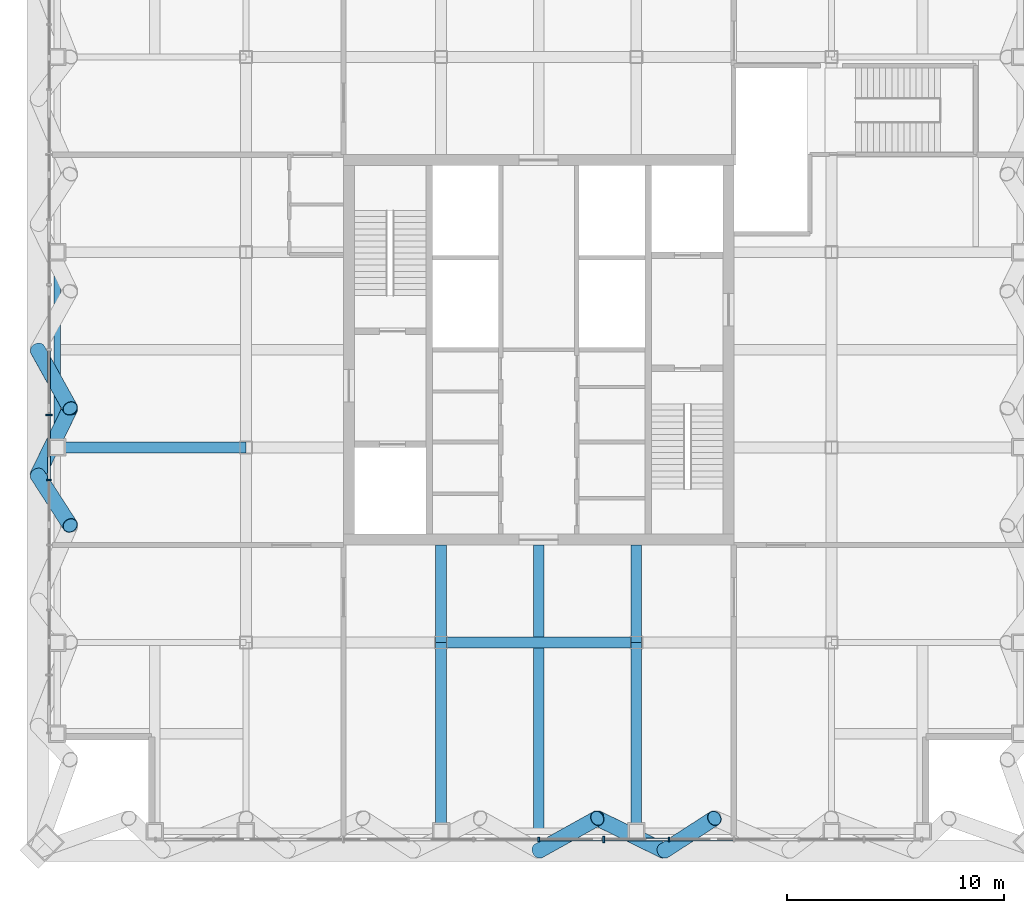
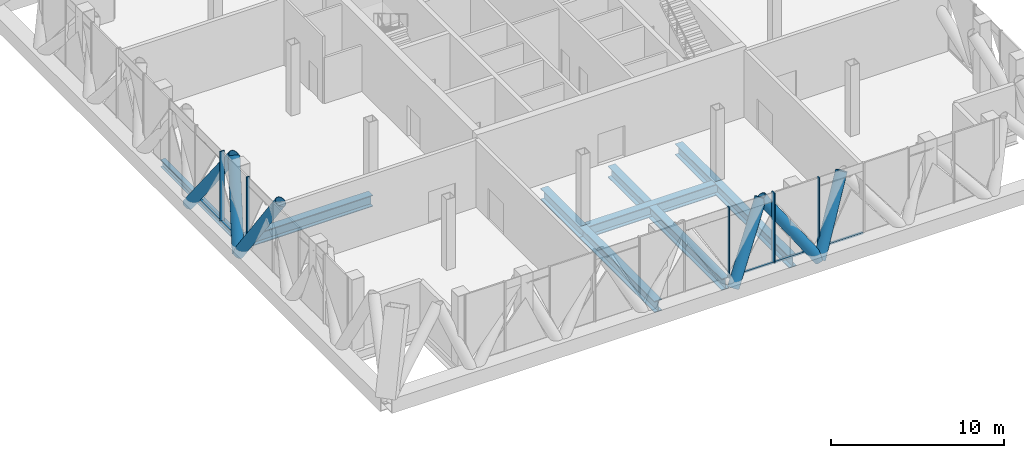
# One storey, part 4 of 27: 16 members, 8 beams, 2 elements without a shape of their own.
"""IFC4 building model written with IfcOpenShell, lengths in metres."""

from ifc_helpers import new_model, si_unit, direction, frame, origin, origin_2d, place, context, subcontext, project, spatial, rectangle, hollow_circle, i_section, extrude, material, layer, layer_set, material_profile, profile_set, type_object, element, aggregate, save


model = new_model("IFC4")

# Units and contexts
model_context = context("Model", 3, precision=1e-05, world=origin(), true_north=direction((0.0, 1.0)))
body_context = subcontext(model_context, "Body", "Model", "MODEL_VIEW")
ifc_project = project(units=[si_unit("LENGTHUNIT", "METRE"), si_unit("AREAUNIT", "SQUARE_METRE"), si_unit("VOLUMEUNIT", "CUBIC_METRE"), si_unit("PLANEANGLEUNIT", "RADIAN"), si_unit("MASSUNIT", "GRAM", prefix="KILO")], contexts=[model_context])

# Site, building, storey
site_placement = place(None, origin())
site = spatial("IfcSite", under=ifc_project, at=site_placement, CompositionType="ELEMENT")
building_placement = place(site_placement, origin())
building = spatial("IfcBuilding", under=site, at=building_placement, Name="Malebo Sky Hospital", CompositionType="ELEMENT")
storey_placement = place(building_placement, frame((0.0, 0.0, 245.0)))
storey = spatial("IfcBuildingStorey", under=building, at=storey_placement, Name="L59", CompositionType="ELEMENT", Elevation=245.0)

# Curtain wall, members
ifc_material_1 = material(Name="Anodised aluminium, natural silver", Category="aluminium")
ifc_layer = layer(ifc_material_1, 0.25)
ifc_layer_set = layer_set([ifc_layer], Name="PLANT LOUVRE SCREEN")
curtain_wall_type = type_object("IfcCurtainWallType", Name="PLANT LOUVRE SCREEN", PredefinedType="NOTDEFINED", material=ifc_layer_set)
curtain_wall_1_placement = place(storey_placement, origin())
curtain_wall_1 = element("IfcCurtainWall", 1, at=curtain_wall_1_placement, inside=storey, type_object=curtain_wall_type, Name="PLANT curtain wall W", PredefinedType="NOTDEFINED")
ifc_material_profile_1 = material_profile(ifc_material_1, rectangle(XDim=0.14990234375, YDim=0.10009765625, at=origin_2d()), Name="ALUMINIUM TRANSOM 150x100")
ifc_profile_set_1 = profile_set([ifc_material_profile_1], Name="Anodised aluminium, natural silver")
member_type_1 = type_object("IfcMemberType", Name="ALUMINIUM TRANSOM 150x100", PredefinedType="USERDEFINED", material=ifc_profile_set_1)
member_1_placement = place(storey_placement, frame((37.425048828125, 56.03759765625, 0.050048828125), z_axis=(0.0, 1.0, 0.0), x_axis=(-1.0, 0.0, 0.0)))
member_1 = element("IfcMember", 2, at=member_1_placement, type_object=member_type_1, Name="Transom 5", ObjectType="TRANSOM", PredefinedType="USERDEFINED", context=body_context, shape_type="SweptSolid", body=[
    extrude(rectangle(XDim=0.14990234375, YDim=0.10009765625, at=origin_2d()), origin(), (0.0, 0.0, 1.0), 2.9248046875),
])
member_2_placement = place(storey_placement, frame((37.425048828125, 59.03759765625, 0.050048828125), z_axis=(0.0, 1.0, 0.0), x_axis=(-1.0, 0.0, 0.0)))
member_2 = element("IfcMember", 3, at=member_2_placement, type_object=member_type_1, Name="Transom 6", ObjectType="TRANSOM", PredefinedType="USERDEFINED", context=body_context, shape_type="SweptSolid", body=[
    extrude(rectangle(XDim=0.14990234375, YDim=0.10009765625, at=origin_2d()), origin(), (0.0, 0.0, 1.0), 2.9248046875),
])

curtain_wall_2_placement = place(storey_placement, origin())
curtain_wall_2 = element("IfcCurtainWall", 4, at=curtain_wall_2_placement, inside=storey, type_object=curtain_wall_type, Name="PLANT curtain wall S", PredefinedType="NOTDEFINED")
member_3_placement = place(storey_placement, frame((68.96240234375, 39.425048828125, 0.050048828125), z_axis=(-1.0, 0.0, 0.0), x_axis=(0.0, -1.0, 0.0)))
member_3 = element("IfcMember", 5, at=member_3_placement, type_object=member_type_1, Name="Transom 4", ObjectType="TRANSOM", PredefinedType="USERDEFINED", context=body_context, shape_type="SweptSolid", body=[
    extrude(rectangle(XDim=0.14990234375, YDim=0.10009765625, at=origin_2d()), origin(), (0.0, 0.0, 1.0), 2.9248046875),
])
member_4_placement = place(storey_placement, frame((65.96240234375, 39.425048828125, 0.050048828125), z_axis=(-1.0, 0.0, 0.0), x_axis=(0.0, -1.0, 0.0)))
member_4 = element("IfcMember", 6, at=member_4_placement, type_object=member_type_1, Name="Transom 5", ObjectType="TRANSOM", PredefinedType="USERDEFINED", context=body_context, shape_type="SweptSolid", body=[
    extrude(rectangle(XDim=0.14990234375, YDim=0.10009765625, at=origin_2d()), origin(), (0.0, 0.0, 1.0), 2.9248046875),
])
member_5_placement = place(storey_placement, frame((62.96240234375, 39.425048828125, 0.050048828125), z_axis=(-1.0, 0.0, 0.0), x_axis=(0.0, -1.0, 0.0)))
member_5 = element("IfcMember", 7, at=member_5_placement, type_object=member_type_1, Name="Transom 6", ObjectType="TRANSOM", PredefinedType="USERDEFINED", context=body_context, shape_type="SweptSolid", body=[
    extrude(rectangle(XDim=0.14990234375, YDim=0.10009765625, at=origin_2d()), origin(), (0.0, 0.0, 1.0), 2.9248046875),
])

# Members
ifc_material_2 = material(Name="Steel S460", Category="steel")
ifc_material_profile_2 = material_profile(ifc_material_2, hollow_circle(Radius=0.35546875, WallThickness=0.02490234375, at=origin_2d()), Name="CHS 711x25")
ifc_profile_set_2 = profile_set([ifc_material_profile_2], Name="Steel S460")
member_type_2 = type_object("IfcMemberType", Name="BELT TRUSS DIAGONAL CHS 711x25", PredefinedType="BRACE", material=ifc_profile_set_2)
member_6_placement = place(storey_placement, frame((60.0, 38.89990234375, -0.39990234375), z_axis=(0.490977647365, 0.272770292559, 0.827367703797), x_axis=(-0.485649642493, 0.87415354758, 0.0)))
element("IfcMember", 8, at=member_6_placement, inside=storey, type_object=member_type_2, Name="Belt truss diagonal S5.1 L59", PredefinedType="BRACE", context=body_context, shape_type="SweptSolid", body=[
    extrude(hollow_circle(Radius=0.35546875, WallThickness=0.02490234375, at=origin_2d()), origin(), (0.0, 0.0, 1.0), 5.4990234375),
])
member_7_placement = place(storey_placement, frame((62.699951171875, 40.39990234375, 4.14990234375), z_axis=(0.540163447452, -0.263498548721, -0.799244621414), x_axis=(0.438429255686, 0.898765702371, 0.0)))
element("IfcMember", 9, at=member_7_placement, inside=storey, type_object=member_type_2, Name="Belt truss diagonal S5.2 L59", PredefinedType="BRACE", context=body_context, shape_type="SweptSolid", body=[
    extrude(hollow_circle(Radius=0.35546875, WallThickness=0.02490234375, at=origin_2d()), origin(), (0.0, 0.0, 1.0), 5.692626953125),
])
member_8_placement = place(storey_placement, frame((65.77490234375, 38.89990234375, -0.39990234375), z_axis=(0.436643839632, 0.281682040183, 0.854398844539), x_axis=(-0.542094714499, 0.840317392723, 0.0)))
element("IfcMember", 10, at=member_8_placement, inside=storey, type_object=member_type_2, Name="Belt truss diagonal S6.1 L59", PredefinedType="BRACE", context=body_context, shape_type="SweptSolid", body=[
    extrude(hollow_circle(Radius=0.35546875, WallThickness=0.02490234375, at=origin_2d()), origin(), (0.0, 0.0, 1.0), 5.3251953125),
])
member_9_placement = place(storey_placement, frame((36.89990234375, 62.0, -0.39990234375), z_axis=(0.272770292559, -0.490977647365, 0.827367703797), x_axis=(0.87415354758, 0.485649642493, 0.0)))
element("IfcMember", 11, at=member_9_placement, inside=storey, type_object=member_type_2, Name="Belt truss diagonal W5.1 L59", PredefinedType="BRACE", context=body_context, shape_type="SweptSolid", body=[
    extrude(hollow_circle(Radius=0.35546875, WallThickness=0.02490234375, at=origin_2d()), origin(), (0.0, 0.0, 1.0), 5.4990234375),
])
member_10_placement = place(storey_placement, frame((38.39990234375, 59.300048828125, 4.14990234375), z_axis=(-0.263498548721, -0.540163447452, -0.799244621414), x_axis=(0.898765702371, -0.438429255686, 0.0)))
element("IfcMember", 12, at=member_10_placement, inside=storey, type_object=member_type_2, Name="Belt truss diagonal W5.2 L59", PredefinedType="BRACE", context=body_context, shape_type="SweptSolid", body=[
    extrude(hollow_circle(Radius=0.35546875, WallThickness=0.02490234375, at=origin_2d()), origin(), (0.0, 0.0, 1.0), 5.692626953125),
])
member_11_placement = place(storey_placement, frame((36.89990234375, 56.22509765625, -0.39990234375), z_axis=(0.281682040183, -0.436643839632, 0.854398844539), x_axis=(0.840317392723, 0.542094714499, 0.0)))
element("IfcMember", 13, at=member_11_placement, inside=storey, type_object=member_type_2, Name="Belt truss diagonal W6.1 L59", PredefinedType="BRACE", context=body_context, shape_type="SweptSolid", body=[
    extrude(hollow_circle(Radius=0.35546875, WallThickness=0.02490234375, at=origin_2d()), origin(), (0.0, 0.0, 1.0), 5.3251953125),
])

# Member
ifc_material_profile_3 = material_profile(ifc_material_1, rectangle(XDim=0.074951171875, YDim=0.199951171875, at=origin_2d()), Name="CW5 ALUMINIUM FIN MULLION 75x200")
ifc_profile_set_3 = profile_set([ifc_material_profile_3], Name="Anodised aluminium, natural silver")
member_type_3 = type_object("IfcMemberType", Name="CW5 ALUMINIUM FIN MULLION 75x200", PredefinedType="MULLION", material=ifc_profile_set_3)
member_12_placement = place(storey_placement, frame((37.425048828125, 56.0, 0.0), z_axis=(0.0, 0.0, 1.0), x_axis=(0.0, 1.0, 0.0)))
member_12 = element("IfcMember", 14, at=member_12_placement, type_object=member_type_3, Name="Fin mullion 5", PredefinedType="MULLION", context=body_context, shape_type="SweptSolid", body=[
    extrude(rectangle(XDim=0.074951171875, YDim=0.199951171875, at=origin_2d()), origin(), (0.0, 0.0, 1.0), 5.0),
])

member_13_placement = place(storey_placement, frame((66.0, 39.425048828125, 0.0), z_axis=(0.0, 0.0, 1.0), x_axis=(-1.0, 0.0, 0.0)))
member_13 = element("IfcMember", 15, at=member_13_placement, type_object=member_type_3, Name="Fin mullion 5", PredefinedType="MULLION", context=body_context, shape_type="SweptSolid", body=[
    extrude(rectangle(XDim=0.074951171875, YDim=0.199951171875, at=origin_2d()), origin(), (0.0, 0.0, 1.0), 5.0),
])

member_14_placement = place(storey_placement, frame((60.0, 39.425048828125, 0.0), z_axis=(0.0, 0.0, 1.0), x_axis=(-1.0, 0.0, 0.0)))
member_14 = element("IfcMember", 16, at=member_14_placement, type_object=member_type_3, Name="Fin mullion 7", PredefinedType="MULLION", context=body_context, shape_type="SweptSolid", body=[
    extrude(rectangle(XDim=0.074951171875, YDim=0.199951171875, at=origin_2d()), origin(), (0.0, 0.0, 1.0), 5.0),
])

ifc_material_profile_4 = material_profile(ifc_material_1, rectangle(XDim=0.074951171875, YDim=0.300048828125, at=origin_2d()), Name="CW5 ALUMINIUM FIN MULLION 75x300")
ifc_profile_set_4 = profile_set([ifc_material_profile_4], Name="Anodised aluminium, natural silver")
member_type_4 = type_object("IfcMemberType", Name="CW5 ALUMINIUM FIN MULLION 75x300", PredefinedType="MULLION", material=ifc_profile_set_4)
member_15_placement = place(storey_placement, frame((37.425048828125, 59.0, 0.0), z_axis=(0.0, 0.0, 1.0), x_axis=(0.0, 1.0, 0.0)))
member_15 = element("IfcMember", 17, at=member_15_placement, type_object=member_type_4, Name="Fin mullion 6", PredefinedType="MULLION", context=body_context, shape_type="SweptSolid", body=[
    extrude(rectangle(XDim=0.074951171875, YDim=0.300048828125, at=origin_2d()), origin(), (0.0, 0.0, 1.0), 5.0),
])

aggregate(curtain_wall_1, [member_12, member_15, member_1, member_2])

member_16_placement = place(storey_placement, frame((63.0, 39.425048828125, 0.0), z_axis=(0.0, 0.0, 1.0), x_axis=(-1.0, 0.0, 0.0)))
member_16 = element("IfcMember", 18, at=member_16_placement, type_object=member_type_4, Name="Fin mullion 6", PredefinedType="MULLION", context=body_context, shape_type="SweptSolid", body=[
    extrude(rectangle(XDim=0.074951171875, YDim=0.300048828125, at=origin_2d()), origin(), (0.0, 0.0, 1.0), 5.0),
])

aggregate(curtain_wall_2, [member_13, member_16, member_14, member_3, member_4, member_5])

# Beams
ifc_material_3 = material(Name="Steel S355", Category="steel")
ifc_material_profile_5 = material_profile(ifc_material_3, i_section(OverallWidth=0.305908203125, OverallDepth=0.52392578125, WebThickness=0.02099609375, FlangeThickness=0.0400390625, FilletRadius=0.027099609375, at=origin_2d()), Name="HEM 500")
ifc_profile_set_5 = profile_set([ifc_material_profile_5], Name="Steel S355")
beam_type_1 = type_object("IfcBeamType", Name="EDGE BEAM HEM 500", PredefinedType="BEAM", material=ifc_profile_set_5)
beam_1_placement = place(storey_placement, frame((37.800048828125, 57.5, -0.511962890625), z_axis=(0.0, 1.0, 0.0), x_axis=(-1.0, 0.0, 0.0)))
element("IfcBeam", 19, at=beam_1_placement, inside=storey, type_object=beam_type_1, Name="Beam 002 L59", PredefinedType="BEAM", context=body_context, shape_type="SweptSolid", body=[
    extrude(i_section(OverallWidth=0.305908203125, OverallDepth=0.52392578125, WebThickness=0.02099609375, FlangeThickness=0.0400390625, FilletRadius=0.027099609375, at=origin_2d()), origin(), (0.0, 0.0, 1.0), 9.0),
])
ifc_material_profile_6 = material_profile(ifc_material_3, i_section(OverallWidth=0.5, OverallDepth=0.800048828125, WebThickness=0.030029296875, FlangeThickness=0.050048828125, at=origin_2d()), Name="PG 800x500x30x50")
ifc_profile_set_6 = profile_set([ifc_material_profile_6], Name="Steel S355")
beam_type_2 = type_object("IfcBeamType", Name="FLOOR BEAM PG 800x500x30x50", PredefinedType="BEAM", material=ifc_profile_set_6)
beam_2_placement = place(storey_placement, frame((55.5, 39.800048828125, -0.64990234375), z_axis=(0.0, 1.0, 0.0), x_axis=(-1.0, 0.0, 0.0)))
element("IfcBeam", 20, at=beam_2_placement, inside=storey, type_object=beam_type_2, Name="Beam 012 L59", PredefinedType="BEAM", context=body_context, shape_type="SweptSolid", body=[
    extrude(i_section(OverallWidth=0.5, OverallDepth=0.800048828125, WebThickness=0.030029296875, FlangeThickness=0.050048828125, at=origin_2d()), origin(), (0.0, 0.0, 1.0), 8.699951171875),
])
beam_3_placement = place(storey_placement, frame((55.5, 48.5, -0.64990234375), z_axis=(0.0, 1.0, 0.0), x_axis=(-1.0, 0.0, 0.0)))
element("IfcBeam", 21, at=beam_3_placement, inside=storey, type_object=beam_type_2, Name="Beam 013 L59", PredefinedType="BEAM", context=body_context, shape_type="SweptSolid", body=[
    extrude(i_section(OverallWidth=0.5, OverallDepth=0.800048828125, WebThickness=0.030029296875, FlangeThickness=0.050048828125, at=origin_2d()), origin(), (0.0, 0.0, 1.0), 4.5),
])
beam_4_placement = place(storey_placement, frame((60.0, 39.800048828125, -0.64990234375), z_axis=(0.0, 1.0, 0.0), x_axis=(-1.0, 0.0, 0.0)))
element("IfcBeam", 22, at=beam_4_placement, inside=storey, type_object=beam_type_2, Name="Beam 016 L59", PredefinedType="BEAM", context=body_context, shape_type="SweptSolid", body=[
    extrude(i_section(OverallWidth=0.5, OverallDepth=0.800048828125, WebThickness=0.030029296875, FlangeThickness=0.050048828125, at=origin_2d()), origin(), (0.0, 0.0, 1.0), 13.199951171875),
])
beam_5_placement = place(storey_placement, frame((64.5, 39.800048828125, -0.64990234375), z_axis=(0.0, 1.0, 0.0), x_axis=(-1.0, 0.0, 0.0)))
element("IfcBeam", 23, at=beam_5_placement, inside=storey, type_object=beam_type_2, Name="Beam 018 L59", PredefinedType="BEAM", context=body_context, shape_type="SweptSolid", body=[
    extrude(i_section(OverallWidth=0.5, OverallDepth=0.800048828125, WebThickness=0.030029296875, FlangeThickness=0.050048828125, at=origin_2d()), origin(), (0.0, 0.0, 1.0), 8.699951171875),
])
beam_6_placement = place(storey_placement, frame((64.5, 48.5, -0.64990234375), z_axis=(0.0, 1.0, 0.0), x_axis=(-1.0, 0.0, 0.0)))
element("IfcBeam", 24, at=beam_6_placement, inside=storey, type_object=beam_type_2, Name="Beam 019 L59", PredefinedType="BEAM", context=body_context, shape_type="SweptSolid", body=[
    extrude(i_section(OverallWidth=0.5, OverallDepth=0.800048828125, WebThickness=0.030029296875, FlangeThickness=0.050048828125, at=origin_2d()), origin(), (0.0, 0.0, 1.0), 4.5),
])
beam_7_placement = place(storey_placement, frame((37.800048828125, 57.5, -0.64990234375), z_axis=(1.0, 0.0, 0.0), x_axis=(0.0, 1.0, 0.0)))
element("IfcBeam", 25, at=beam_7_placement, inside=storey, type_object=beam_type_2, Name="Beam 046 L59", PredefinedType="BEAM", context=body_context, shape_type="SweptSolid", body=[
    extrude(i_section(OverallWidth=0.5, OverallDepth=0.800048828125, WebThickness=0.030029296875, FlangeThickness=0.050048828125, at=origin_2d()), origin(), (0.0, 0.0, 1.0), 8.699951171875),
])
ifc_material_profile_7 = material_profile(ifc_material_3, i_section(OverallWidth=0.5, OverallDepth=0.800048828125, WebThickness=0.030029296875, FlangeThickness=0.050048828125, at=origin_2d()), Name="PG 800x500x30x50")
ifc_profile_set_7 = profile_set([ifc_material_profile_7], Name="Steel S355")
beam_type_3 = type_object("IfcBeamType", Name="RING GIRDER PG 800x500x30x50", PredefinedType="BEAM", material=ifc_profile_set_7)
beam_8_placement = place(storey_placement, frame((55.5, 48.5, -0.64990234375), z_axis=(1.0, 0.0, 0.0), x_axis=(0.0, 1.0, 0.0)))
element("IfcBeam", 26, at=beam_8_placement, inside=storey, type_object=beam_type_3, Name="Beam 043 L59", PredefinedType="BEAM", context=body_context, shape_type="SweptSolid", body=[
    extrude(i_section(OverallWidth=0.5, OverallDepth=0.800048828125, WebThickness=0.030029296875, FlangeThickness=0.050048828125, at=origin_2d()), origin(), (0.0, 0.0, 1.0), 9.0),
])

save(model, "model.ifc")
